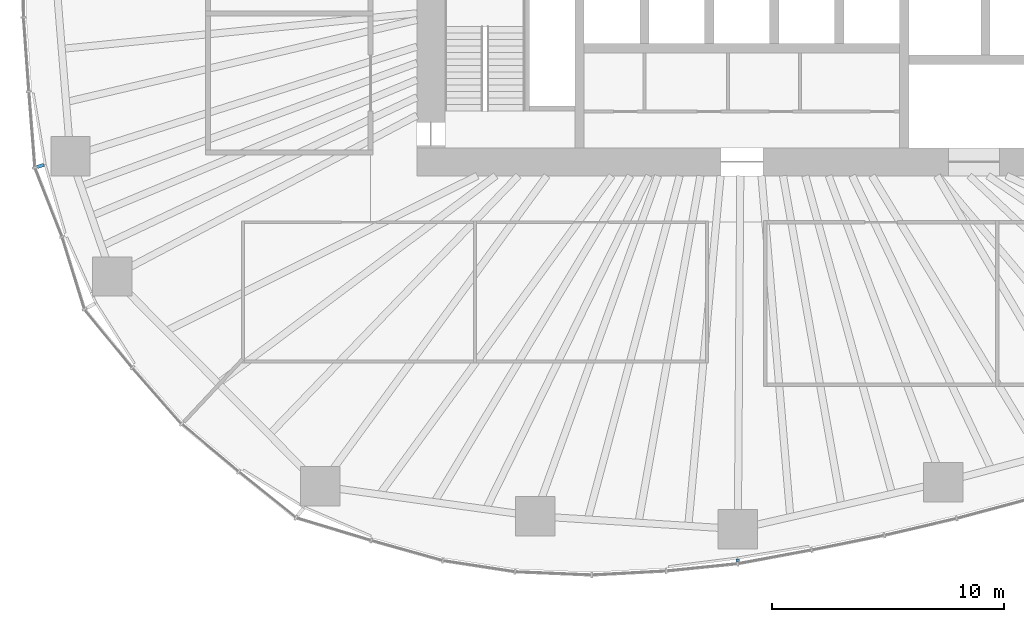
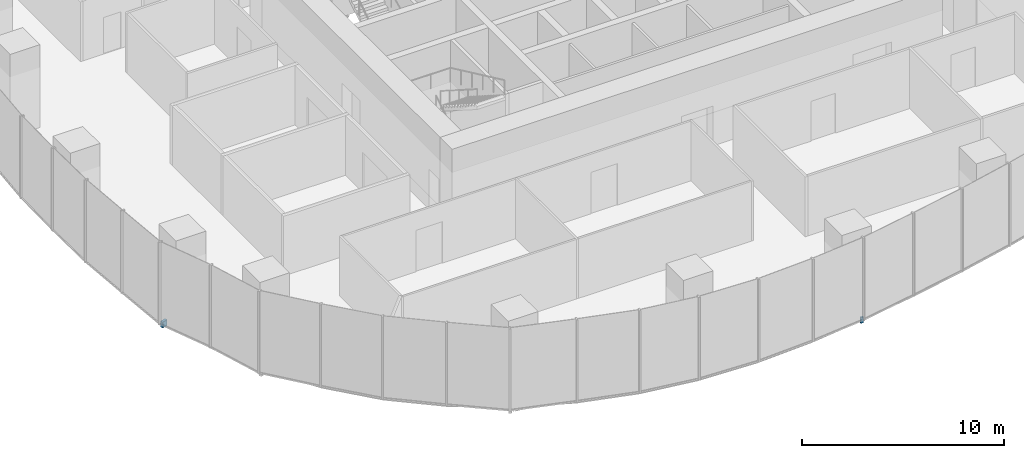
# One storey, part 13 of 20: 2 discrete accessories.
"""IFC4 building model written with IfcOpenShell, lengths in metres."""

from ifc_helpers import new_model, si_unit, direction, frame, origin, origin_2d, place, context, subcontext, project, spatial, rectangle, extrude, material, type_object, element, save


model = new_model("IFC4")

# Units and contexts
model_context = context("Model", 3, precision=1e-05, world=origin(), true_north=direction((0.0, 1.0)))
body_context = subcontext(model_context, "Body", "Model", "MODEL_VIEW")
ifc_project = project(units=[si_unit("LENGTHUNIT", "METRE"), si_unit("AREAUNIT", "SQUARE_METRE"), si_unit("VOLUMEUNIT", "CUBIC_METRE"), si_unit("PLANEANGLEUNIT", "RADIAN"), si_unit("MASSUNIT", "GRAM", prefix="KILO")], contexts=[model_context])

# Site, building, storey
site_placement = place(None, origin())
site = spatial("IfcSite", under=ifc_project, at=site_placement, CompositionType="ELEMENT")
building_placement = place(site_placement, origin())
building = spatial("IfcBuilding", under=site, at=building_placement, Name="Ghaith Harvest Tower", CompositionType="ELEMENT")
storey_placement = place(building_placement, frame((0.0, 0.0, 80.0)))
storey = spatial("IfcBuildingStorey", under=building, at=storey_placement, Name="L16", CompositionType="ELEMENT", Elevation=80.0)

# Discrete accessories
ifc_material_1 = material(Name="Stainless steel grade 1.4401", Category="steel")
discrete_accessory_type_1 = type_object("IfcDiscreteAccessoryType", Name="CURTAIN WALL BRACKET 315", PredefinedType="BRACKET", material=ifc_material_1)
discrete_accessory_1_placement = place(storey_placement, frame((-30.219482421875, -9.5771484375, -0.25), z_axis=(0.0, 0.0, 1.0), x_axis=(-0.953273219416, -0.302109531701, 0.0)))
element("IfcDiscreteAccessory", 1, at=discrete_accessory_1_placement, inside=storey, type_object=discrete_accessory_type_1, Name="CW-F bracket 1 bay 12 L16", PredefinedType="BRACKET", context=body_context, shape_type="SweptSolid", body=[
    extrude(rectangle(XDim=0.31494140625, YDim=0.14990234375, at=origin_2d()), origin(), (0.0, 0.0, 1.0), 0.35009765625),
])
ifc_material_2 = material(Name="Stainless steel grade 1.4401", Category="steel")
discrete_accessory_type_2 = type_object("IfcDiscreteAccessoryType", Name="CURTAIN WALL BRACKET 95", PredefinedType="BRACKET", material=ifc_material_2)
discrete_accessory_2_placement = place(storey_placement, frame((-0.181884765625, -26.569580078125, -0.25), z_axis=(0.0, 0.0, 1.0), x_axis=(-0.006843747957, -0.999976581283, 0.0)))
element("IfcDiscreteAccessory", 2, at=discrete_accessory_2_placement, inside=storey, type_object=discrete_accessory_type_2, Name="CW-F bracket 1 bay 16 L16", PredefinedType="BRACKET", context=body_context, shape_type="SweptSolid", body=[
    extrude(rectangle(XDim=0.094970703125, YDim=0.14990234375, at=origin_2d()), origin(), (0.0, 0.0, 1.0), 0.35009765625),
])

save(model, "model.ifc")
